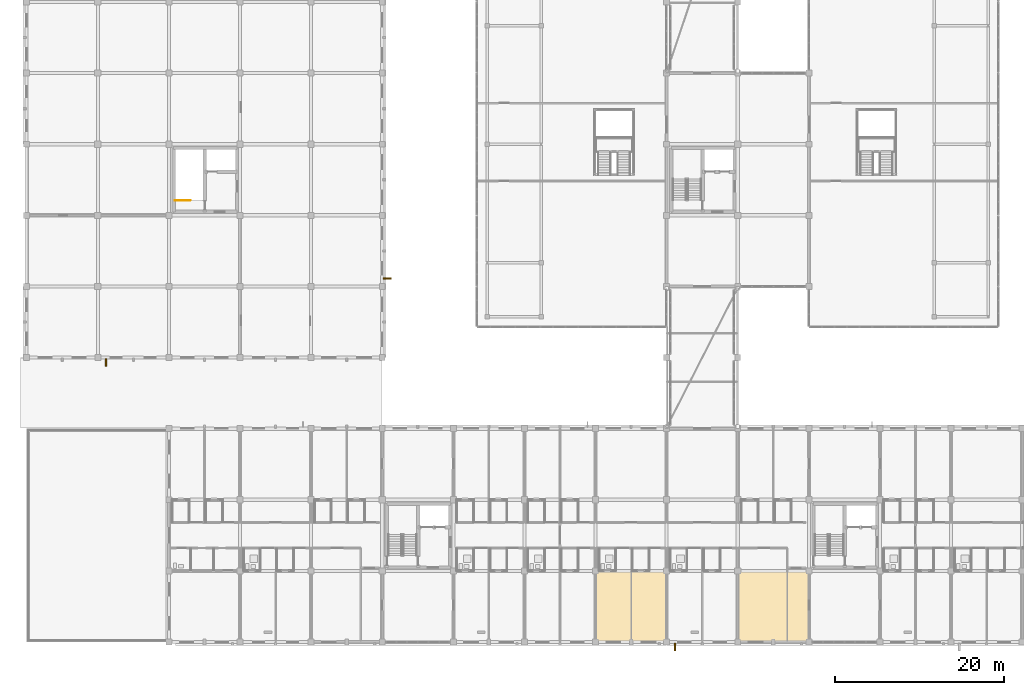
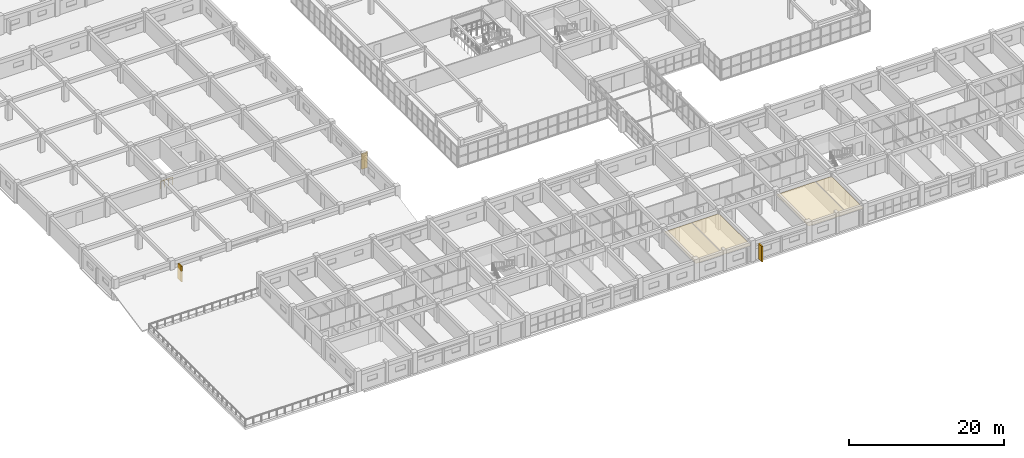
# One storey, part 138 of 148: 3 shading devices, 2 coverings, 1 railing.
"""IFC4 building model written with IfcOpenShell, lengths in metres."""

from ifc_helpers import new_model, si_unit, direction, frame, origin, origin_2d, place, context, subcontext, project, spatial, polyline, rectangle, circle, outline, extrude, material, layer, layer_set, type_object, element, save


model = new_model("IFC4")

# Units and contexts
model_context = context("Model", 3, precision=1e-05, world=origin(), true_north=direction((0.0, 1.0)))
body_context = subcontext(model_context, "Body", "Model", "MODEL_VIEW")
ifc_project = project(units=[si_unit("LENGTHUNIT", "METRE"), si_unit("AREAUNIT", "SQUARE_METRE"), si_unit("VOLUMEUNIT", "CUBIC_METRE"), si_unit("PLANEANGLEUNIT", "RADIAN"), si_unit("MASSUNIT", "GRAM", prefix="KILO")], contexts=[model_context])

# Site, building, storey
site_placement = place(None, origin())
site = spatial("IfcSite", under=ifc_project, at=site_placement, CompositionType="ELEMENT")
building_placement = place(site_placement, origin())
building = spatial("IfcBuilding", under=site, at=building_placement, Name="Trelvath General Hospital", CompositionType="ELEMENT")
storey_placement = place(building_placement, frame((0.0, 0.0, 12.89990234375)))
storey = spatial("IfcBuildingStorey", under=building, at=storey_placement, Name="L03", CompositionType="ELEMENT", Elevation=12.89990234375)

# Shading devices
ifc_material_1 = material(Name="Precast concrete C40/50", Category="concrete")
shading_device_type = type_object("IfcShadingDeviceType", Name="BriseSoleil PrecastFin900", PredefinedType="JALOUSIE", material=ifc_material_1)
for number, where, z_axis, x_axis, name in (
    (1, (9.36181640625, 33.010009765625, 0.000244140625), (0.0, 0.0, 1.0), (0.0, -1.0, 0.0), "Solar Brise-Soleil Screen L03-55"),
    (2, (42.590087890625, 42.9619140625, 0.000244140625), (0.0, 0.0, 1.0), (1.0, 0.0, 0.0), "Solar Brise-Soleil Screen L03-58"),
    (3, (76.561767578125, -0.590087890625, 0.000244140625), (0.0, 0.0, 1.0), (0.0, -1.0, 0.0), "Solar Brise-Soleil Screen L03-63"),
):
    element("IfcShadingDevice", number, at=place(storey_placement, frame(where, z_axis=z_axis, x_axis=x_axis)), inside=storey, type_object=shading_device_type, Name=name, PredefinedType="JALOUSIE", context=body_context, shape_type="SweptSolid", body=[
        extrude(rectangle(XDim=0.89990234375, YDim=0.179931640625, at=origin_2d()), origin(), (0.0, 0.0, 1.0), 2.43994140625),
    ])

# Coverings
ifc_material_2 = material(Name="Hygienic acoustic ceiling tile")
ifc_layer = layer(ifc_material_2, 0.02490234375)
ifc_layer_set = layer_set([ifc_layer], Name="Hygienic acoustic ceiling tile")
covering_type = type_object("IfcCoveringType", Name="Ceiling ClinicalAcoustic", PredefinedType="CEILING", material=ifc_layer_set)
covering_1_placement = place(storey_placement, frame((0.0, 0.0, 2.300048828125)))
element("IfcCovering", 4, at=covering_1_placement, inside=storey, type_object=covering_type, Name="Clinical Acoustic Ceiling L03-40", PredefinedType="CEILING", context=body_context, shape_type="SweptSolid", body=[
    extrude(outline(polyline([(67.300048828125, 0.10009765625), (75.5, 0.10009765625), (75.5, 8.320068359375), (67.300048828125, 8.320068359375), (67.300048828125, 0.10009765625)])), origin(), (0.0, 0.0, 1.0), 0.025146484375),
])
covering_2_placement = place(storey_placement, frame((0.0, 0.0, 2.300048828125)))
element("IfcCovering", 5, at=covering_2_placement, inside=storey, type_object=covering_type, Name="Clinical Acoustic Ceiling L03-41", PredefinedType="CEILING", context=body_context, shape_type="SweptSolid", body=[
    extrude(outline(polyline([(84.10009765625, 0.10009765625), (92.300048828125, 0.10009765625), (92.300048828125, 8.320068359375), (84.10009765625, 8.320068359375), (84.10009765625, 0.10009765625)])), origin(), (0.0, 0.0, 1.0), 0.025146484375),
])

# Railing
ifc_material_3 = material(Name="Architectural painted steel", Category="steel")
railing_type = type_object("IfcRailingType", Name="Guardrail Terrace1150", PredefinedType="GUARDRAIL", material=ifc_material_3)
railing_placement = place(storey_placement, frame((17.530029296875, 52.159912109375, 0.0)))
element("IfcRailing", 6, at=railing_placement, inside=storey, type_object=railing_type, Name="Stair Well Edge Guard C8 L03 258", PredefinedType="GUARDRAIL", context=body_context, shape_type="SweptSolid", body=[
    extrude(circle(Radius=0.02392578125, at=origin_2d()), frame((0.0, 0.0, 1.1259765625), z_axis=(1.0, 0.0, 0.0), x_axis=(0.0, 1.0, 0.0)), (0.0, 0.0, 1.0), 1.800048828125),
    extrude(circle(Radius=0.02099609375, at=origin_2d()), origin(), (0.0, 0.0, 1.0), 1.099853515625),
    extrude(circle(Radius=0.02099609375, at=origin_2d()), frame((0.60009765625, 0.0, 0.0)), (0.0, 0.0, 1.0), 1.099853515625),
    extrude(circle(Radius=0.02099609375, at=origin_2d()), frame((1.199951171875, 0.0, 0.0)), (0.0, 0.0, 1.0), 1.099853515625),
    extrude(circle(Radius=0.02099609375, at=origin_2d()), frame((1.800048828125, 0.0, 0.0)), (0.0, 0.0, 1.0), 1.099853515625),
])

save(model, "model.ifc")
